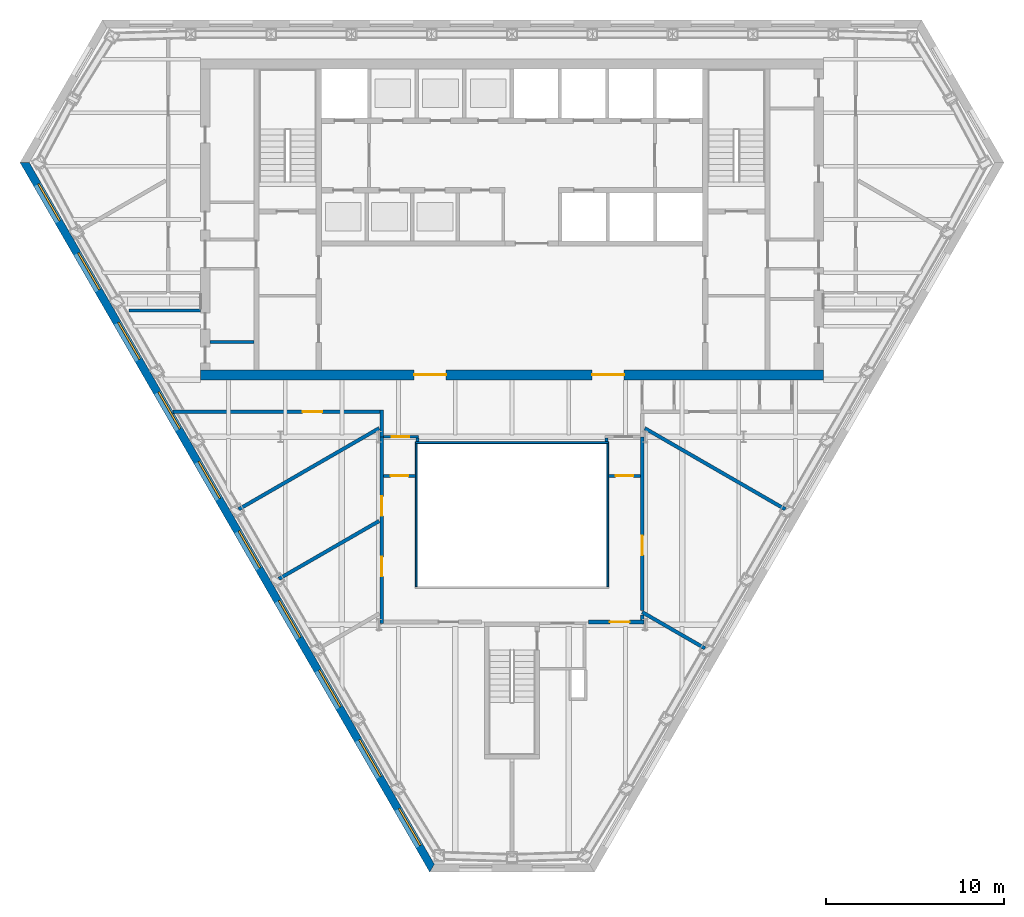
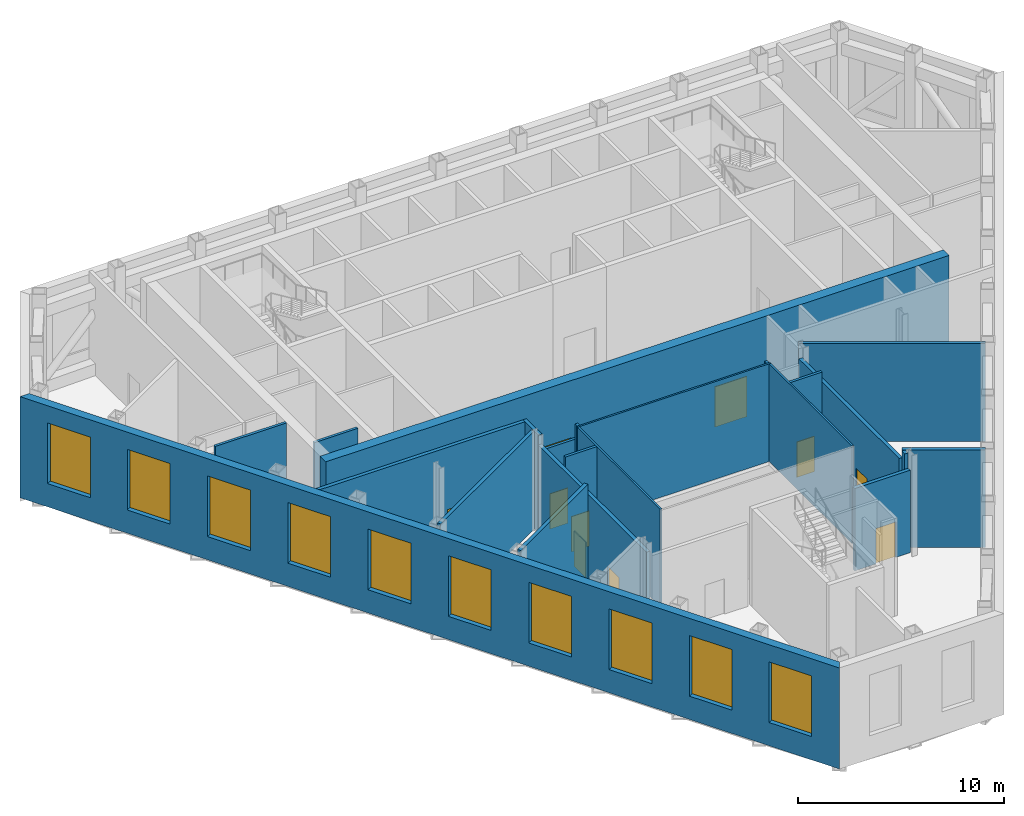
# One storey, part 7 of 15: 22 walls, 10 doors, 10 shading devices, 20 openings.
"""IFC4 building model written with IfcOpenShell, lengths in metres."""

from ifc_helpers import new_model, si_unit, direction, frame, frame_2d, origin, place, context, subcontext, project, spatial, polyline, rectangle, outline, extrude, material, layer, layer_set, type_object, element, fill, save


model = new_model("IFC4")

# Units and contexts
model_context = context("Model", 3, precision=1e-05, world=origin(), true_north=direction((0.0, 1.0)))
body_context = subcontext(model_context, "Body", "Model", "MODEL_VIEW")
ifc_project = project(units=[si_unit("LENGTHUNIT", "METRE"), si_unit("AREAUNIT", "SQUARE_METRE"), si_unit("VOLUMEUNIT", "CUBIC_METRE"), si_unit("PLANEANGLEUNIT", "RADIAN"), si_unit("MASSUNIT", "GRAM", prefix="KILO")], contexts=[model_context])

# Site, building, storey
site_placement = place(None, origin())
site = spatial("IfcSite", under=ifc_project, at=site_placement, CompositionType="ELEMENT")
building_placement = place(site_placement, origin())
building = spatial("IfcBuilding", under=site, at=building_placement, Name="Njiva Tower", CompositionType="ELEMENT")
storey_placement = place(building_placement, frame((0.0, 0.0, 133.8)))
storey = spatial("IfcBuildingStorey", under=building, at=storey_placement, Name="L28", CompositionType="ELEMENT", Elevation=133.8)

# Wall, openings, doors
ifc_material_1 = material(Name="Concrete C60/75", Category="concrete")
ifc_layer_1 = layer(ifc_material_1, 0.55)
ifc_layer_set_1 = layer_set([ifc_layer_1], Name="Concrete C60/75")
wall_type_1 = type_object("IfcWallType", Name="WT14 Core wall 550", PredefinedType="SHEAR", material=ifc_layer_set_1)
wall_1_placement = place(storey_placement, frame((-17.5, 0.275, 0.0), z_axis=(0.0, 0.0, 1.0), x_axis=(1.0, 0.0, 0.0)))
wall_1 = element("IfcWall", 1, at=wall_1_placement, inside=storey, type_object=wall_type_1, Name="Core wall south", PredefinedType="SHEAR", context=body_context, shape_type="SweptSolid", body=[
    extrude(rectangle(XDim=35.0, YDim=0.55, at=frame_2d((17.5, 0.0))), origin(), (0.0, 0.0, 1.0), 5.8),
])
opening_1_placement = place(wall_1_placement, frame((12.0, 0.0, 0.0)))
opening_1 = element("IfcOpeningElement", 2, at=opening_1_placement, cuts=wall_1, Name="Opening T2-D935", PredefinedType="OPENING", context=body_context, shape_type="SweptSolid", body=[
    extrude(rectangle(XDim=1.8, YDim=2.4, at=frame_2d((0.9, 1.2))), frame((0.0, 0.285, 0.0), z_axis=(0.0, -1.0, 0.0), x_axis=(1.0, 0.0, 0.0)), (0.0, 0.0, 1.0), 0.57),
])
opening_2_placement = place(wall_1_placement, frame((22.0, 0.0, 0.0)))
opening_2 = element("IfcOpeningElement", 3, at=opening_2_placement, cuts=wall_1, Name="Opening T2-D936", PredefinedType="OPENING", context=body_context, shape_type="SweptSolid", body=[
    extrude(rectangle(XDim=1.8, YDim=2.4, at=frame_2d((0.9, 1.2))), frame((0.0, 0.285, 0.0), z_axis=(0.0, -1.0, 0.0), x_axis=(1.0, 0.0, 0.0)), (0.0, 0.0, 1.0), 0.57),
])
ifc_material_2 = material(Name="Steel and glass door", Category="steel")
door_type_1 = type_object("IfcDoorType", Name="D3 Core entrance door 1800x2400", OperationType="DOUBLE_DOOR_SINGLE_SWING", PredefinedType="DOOR", material=ifc_material_2)
door_1_placement = place(opening_1_placement, origin())
door_1 = element("IfcDoor", 4, at=door_1_placement, inside=storey, type_object=door_type_1, Name="Core entrance door", OperationType="DOUBLE_DOOR_SINGLE_SWING", OverallHeight=2.4, OverallWidth=1.8, PredefinedType="DOOR", context=body_context, shape_type="SweptSolid", body=[
    extrude(rectangle(XDim=1.8, YDim=2.4, at=frame_2d((0.9, 1.2))), frame((0.0, 0.025, 0.0), z_axis=(0.0, -1.0, 0.0), x_axis=(1.0, 0.0, 0.0)), (0.0, 0.0, 1.0), 0.05),
])
fill(opening_1, door_1)
door_2_placement = place(opening_2_placement, origin())
door_2 = element("IfcDoor", 5, at=door_2_placement, inside=storey, type_object=door_type_1, Name="Core entrance door", OperationType="DOUBLE_DOOR_SINGLE_SWING", OverallHeight=2.4, OverallWidth=1.8, PredefinedType="DOOR", context=body_context, shape_type="SweptSolid", body=[
    extrude(rectangle(XDim=1.8, YDim=2.4, at=frame_2d((0.9, 1.2))), frame((0.0, 0.025, 0.0), z_axis=(0.0, -1.0, 0.0), x_axis=(1.0, 0.0, 0.0)), (0.0, 0.0, 1.0), 0.05),
])
fill(opening_2, door_2)

# Wall
ifc_material_3 = material(Name="Gypsum board on steel studs", Category="gypsum")
ifc_layer_2 = layer(ifc_material_3, 0.15)
ifc_layer_set_2 = layer_set([ifc_layer_2], Name="Gypsum board on steel studs")
wall_type_2 = type_object("IfcWallType", Name="WT21 Compartment wall 150", PredefinedType="PARTITIONING", material=ifc_layer_set_2)
wall_2_placement = place(storey_placement, frame((-21.5, 3.889, 0.0), z_axis=(0.0, 0.0, 1.0), x_axis=(1.0, 0.0, 0.0)))
element("IfcWall", 6, at=wall_2_placement, inside=storey, type_object=wall_type_2, Name="Partition T2-P003", PredefinedType="PARTITIONING", context=body_context, shape_type="SweptSolid", body=[
    extrude(rectangle(XDim=4.0, YDim=0.15, at=frame_2d((2.0, 0.0))), origin(), (0.0, 0.0, 1.0), 5.8),
])

# Wall, opening, door
wall_3_placement = place(storey_placement, frame((-7.211, -3.2, 0.0), z_axis=(0.0, 0.0, 1.0), x_axis=(1.0, 0.0, 0.0)))
wall_3 = element("IfcWall", 7, at=wall_3_placement, inside=storey, type_object=wall_type_2, Name="Partition T2-P011", PredefinedType="PARTITIONING", context=body_context, shape_type="SweptSolid", body=[
    extrude(rectangle(XDim=1.975, YDim=0.15, at=frame_2d((0.9875, 0.0))), origin(), (0.0, 0.0, 1.0), 4.89),
])
opening_3_placement = place(wall_3_placement, frame((0.45, 0.0, 0.0)))
opening_3 = element("IfcOpeningElement", 8, at=opening_3_placement, cuts=wall_3, Name="Opening T2-D006", PredefinedType="OPENING", context=body_context, shape_type="SweptSolid", body=[
    extrude(rectangle(XDim=1.0, YDim=2.1, at=frame_2d((0.5, 1.05))), frame((0.0, 0.085, 0.0), z_axis=(0.0, -1.0, 0.0), x_axis=(1.0, 0.0, 0.0)), (0.0, 0.0, 1.0), 0.17),
])
ifc_material_4 = material(Name="Steel fire door set", Category="steel")
door_type_2 = type_object("IfcDoorType", Name="D37 Fire door 1000x2100", OperationType="SINGLE_SWING_LEFT", PredefinedType="DOOR", material=ifc_material_4)
door_3_placement = place(opening_3_placement, origin())
door_3 = element("IfcDoor", 9, at=door_3_placement, inside=storey, type_object=door_type_2, Name="Door T2-D006", OperationType="SINGLE_SWING_RIGHT", OverallHeight=2.1, OverallWidth=1.0, PredefinedType="DOOR", context=body_context, shape_type="SweptSolid", body=[
    extrude(rectangle(XDim=1.0, YDim=2.1, at=frame_2d((0.5, 1.05))), frame((0.0, 0.025, 0.0), z_axis=(0.0, -1.0, 0.0), x_axis=(1.0, 0.0, 0.0)), (0.0, 0.0, 1.0), 0.05),
])
fill(opening_3, door_3)

wall_4_placement = place(storey_placement, frame((-7.211, -5.4, 0.0), z_axis=(0.0, 0.0, 1.0), x_axis=(1.0, 0.0, 0.0)))
wall_4 = element("IfcWall", 10, at=wall_4_placement, inside=storey, type_object=wall_type_2, Name="Partition T2-P012", PredefinedType="PARTITIONING", context=body_context, shape_type="SweptSolid", body=[
    extrude(rectangle(XDim=1.781, YDim=0.15, at=frame_2d((0.8905, 0.0))), origin(), (0.0, 0.0, 1.0), 5.8),
])
opening_4_placement = place(wall_4_placement, frame((0.39, 0.0, 0.0)))
opening_4 = element("IfcOpeningElement", 11, at=opening_4_placement, cuts=wall_4, Name="Opening T2-D007", PredefinedType="OPENING", context=body_context, shape_type="SweptSolid", body=[
    extrude(rectangle(XDim=1.0, YDim=2.1, at=frame_2d((0.5, 1.05))), frame((0.0, 0.085, 0.0), z_axis=(0.0, -1.0, 0.0), x_axis=(1.0, 0.0, 0.0)), (0.0, 0.0, 1.0), 0.17),
])
door_4_placement = place(opening_4_placement, origin())
door_4 = element("IfcDoor", 12, at=door_4_placement, inside=storey, type_object=door_type_2, Name="Door T2-D007", OperationType="SINGLE_SWING_RIGHT", OverallHeight=2.1, OverallWidth=1.0, PredefinedType="DOOR", context=body_context, shape_type="SweptSolid", body=[
    extrude(rectangle(XDim=1.0, YDim=2.1, at=frame_2d((0.5, 1.05))), frame((0.0, 0.025, 0.0), z_axis=(0.0, -1.0, 0.0), x_axis=(1.0, 0.0, 0.0)), (0.0, 0.0, 1.0), 0.05),
])
fill(opening_4, door_4)

# Walls
for number, where, z_axis, x_axis, name in (
    (13, (-5.31, -3.48, 0.0), (0.0, 0.0, 1.0), (0.0, 1.0, 0.0), "Partition T2-P014"),
    (14, (5.31, -3.48, 0.0), (0.0, 0.0, 1.0), (0.0, 1.0, 0.0), "Partition T2-P018"),
):
    element("IfcWall", number, at=place(storey_placement, frame(where, z_axis=z_axis, x_axis=x_axis)), inside=storey, type_object=wall_type_2, Name=name, PredefinedType="PARTITIONING", context=body_context, shape_type="SweptSolid", body=[
        extrude(rectangle(XDim=0.205, YDim=0.15, at=frame_2d((0.1025, 0.0))), origin(), (0.0, 0.0, 1.0), 5.8),
    ])

# Wall, opening, door
wall_5_placement = place(storey_placement, frame((5.43, -5.4, 0.0), z_axis=(0.0, 0.0, 1.0), x_axis=(1.0, 0.0, 0.0)))
wall_5 = element("IfcWall", 15, at=wall_5_placement, inside=storey, type_object=wall_type_2, Name="Partition T2-P019", PredefinedType="PARTITIONING", context=body_context, shape_type="SweptSolid", body=[
    extrude(rectangle(XDim=1.78, YDim=0.15, at=frame_2d((0.89, 0.0))), origin(), (0.0, 0.0, 1.0), 5.8),
])
opening_5_placement = place(wall_5_placement, frame((0.39, 0.0, 0.0)))
opening_5 = element("IfcOpeningElement", 16, at=opening_5_placement, cuts=wall_5, Name="Opening T2-D011", PredefinedType="OPENING", context=body_context, shape_type="SweptSolid", body=[
    extrude(rectangle(XDim=1.0, YDim=2.1, at=frame_2d((0.5, 1.05))), frame((0.0, 0.085, 0.0), z_axis=(0.0, -1.0, 0.0), x_axis=(1.0, 0.0, 0.0)), (0.0, 0.0, 1.0), 0.17),
])
door_5_placement = place(opening_5_placement, origin())
door_5 = element("IfcDoor", 17, at=door_5_placement, inside=storey, type_object=door_type_2, Name="Door T2-D011", OperationType="SINGLE_SWING_RIGHT", OverallHeight=2.1, OverallWidth=1.0, PredefinedType="DOOR", context=body_context, shape_type="SweptSolid", body=[
    extrude(rectangle(XDim=1.0, YDim=2.1, at=frame_2d((0.5, 1.05))), frame((0.0, 0.025, 0.0), z_axis=(0.0, -1.0, 0.0), x_axis=(1.0, 0.0, 0.0)), (0.0, 0.0, 1.0), 0.05),
])
fill(opening_5, door_5)

ifc_material_5 = material(Name="Blockwork", Category="masonry")
ifc_layer_3 = layer(ifc_material_5, 0.2)
ifc_layer_set_3 = layer_set([ifc_layer_3], Name="Blockwork")
wall_type_3 = type_object("IfcWallType", Name="WT22 Plant room wall 200", PredefinedType="PARTITIONING", material=ifc_layer_set_3)
wall_6_placement = place(storey_placement, frame((-19.023, -1.8, 0.0), z_axis=(0.0, 0.0, 1.0), x_axis=(1.0, 0.0, 0.0)))
wall_6 = element("IfcWall", 18, at=wall_6_placement, inside=storey, type_object=wall_type_3, Name="Partition T2-P006", PredefinedType="PARTITIONING", context=body_context, shape_type="SweptSolid", body=[
    extrude(rectangle(XDim=11.612, YDim=0.2, at=frame_2d((5.806, 0.0))), origin(), (0.0, 0.0, 1.0), 5.8),
])
opening_6_placement = place(wall_6_placement, frame((7.262, 0.0, 0.0)))
opening_6 = element("IfcOpeningElement", 19, at=opening_6_placement, cuts=wall_6, Name="Opening T2-D003", PredefinedType="OPENING", context=body_context, shape_type="SweptSolid", body=[
    extrude(rectangle(XDim=1.1, YDim=2.1, at=frame_2d((0.55, 1.05))), frame((0.0, 0.11, 0.0), z_axis=(0.0, -1.0, 0.0), x_axis=(1.0, 0.0, 0.0)), (0.0, 0.0, 1.0), 0.22),
])
ifc_material_6 = material(Name="Steel door set", Category="steel")
door_type_3 = type_object("IfcDoorType", Name="D34 Plant door 1100x2100", OperationType="SINGLE_SWING_LEFT", PredefinedType="DOOR", material=ifc_material_6)
door_6_placement = place(opening_6_placement, origin())
door_6 = element("IfcDoor", 20, at=door_6_placement, inside=storey, type_object=door_type_3, Name="Door T2-D003", OperationType="SINGLE_SWING_RIGHT", OverallHeight=2.1, OverallWidth=1.1, PredefinedType="DOOR", context=body_context, shape_type="SweptSolid", body=[
    extrude(rectangle(XDim=1.1, YDim=2.1, at=frame_2d((0.55, 1.05))), frame((0.0, 0.025, 0.0), z_axis=(0.0, -1.0, 0.0), x_axis=(1.0, 0.0, 0.0)), (0.0, 0.0, 1.0), 0.05),
])
fill(opening_6, door_6)

# Walls
wall_7_placement = place(storey_placement, frame((-15.344, -7.274, 0.0), z_axis=(0.0, 0.0, 1.0), x_axis=(0.866037399706, 0.499979221878, 0.0)))
element("IfcWall", 21, at=wall_7_placement, inside=storey, type_object=wall_type_3, Name="Partition T2-P007", PredefinedType="PARTITIONING", context=body_context, shape_type="SweptSolid", body=[
    extrude(rectangle(XDim=9.1024, YDim=0.2, at=frame_2d((4.5512, 0.0))), origin(), (0.0, 0.0, 1.0), 5.8),
])
wall_8_placement = place(storey_placement, frame((-13.089, -11.179, 0.0), z_axis=(0.0, 0.0, 1.0), x_axis=(0.866085669847, 0.499895601587, 0.0)))
element("IfcWall", 22, at=wall_8_placement, inside=storey, type_object=wall_type_3, Name="Partition T2-P008", PredefinedType="PARTITIONING", context=body_context, shape_type="SweptSolid", body=[
    extrude(rectangle(XDim=6.4994, YDim=0.2, at=frame_2d((3.2497, 0.0))), origin(), (0.0, 0.0, 1.0), 5.8),
])

# Wall, openings, doors
wall_9_placement = place(storey_placement, frame((-7.31, -13.699, 0.0), z_axis=(0.0, 0.0, 1.0), x_axis=(-8.5722449e-05, 0.999999996326, 0.0)))
wall_9 = element("IfcWall", 23, at=wall_9_placement, inside=storey, type_object=wall_type_3, Name="Partition T2-P010", PredefinedType="PARTITIONING", context=body_context, shape_type="SweptSolid", body=[
    extrude(rectangle(XDim=10.499, YDim=0.2, at=frame_2d((5.2495, 0.0))), origin(), (0.0, 0.0, 1.0), 5.21),
])
opening_7_placement = place(wall_9_placement, frame((2.653, 0.0, 0.0)))
opening_7 = element("IfcOpeningElement", 24, at=opening_7_placement, cuts=wall_9, Name="Opening T2-D004", PredefinedType="OPENING", context=body_context, shape_type="SweptSolid", body=[
    extrude(rectangle(XDim=1.1, YDim=2.1, at=frame_2d((0.55, 1.05))), frame((0.0, 0.11, 0.0), z_axis=(0.0, -1.0, 0.0), x_axis=(1.0, 0.0, 0.0)), (0.0, 0.0, 1.0), 0.22),
])
opening_8_placement = place(wall_9_placement, frame((6.056, 0.0, 0.0)))
opening_8 = element("IfcOpeningElement", 25, at=opening_8_placement, cuts=wall_9, Name="Opening T2-D005", PredefinedType="OPENING", context=body_context, shape_type="SweptSolid", body=[
    extrude(rectangle(XDim=1.1, YDim=2.1, at=frame_2d((0.55, 1.05))), frame((0.0, 0.11, 0.0), z_axis=(0.0, -1.0, 0.0), x_axis=(1.0, 0.0, 0.0)), (0.0, 0.0, 1.0), 0.22),
])
door_7_placement = place(opening_7_placement, origin())
door_7 = element("IfcDoor", 26, at=door_7_placement, inside=storey, type_object=door_type_3, Name="Door T2-D004", OperationType="SINGLE_SWING_RIGHT", OverallHeight=2.1, OverallWidth=1.1, PredefinedType="DOOR", context=body_context, shape_type="SweptSolid", body=[
    extrude(rectangle(XDim=1.1, YDim=2.1, at=frame_2d((0.55, 1.05))), frame((0.0, 0.025, 0.0), z_axis=(0.0, -1.0, 0.0), x_axis=(1.0, 0.0, 0.0)), (0.0, 0.0, 1.0), 0.05),
])
fill(opening_7, door_7)
door_8_placement = place(opening_8_placement, origin())
door_8 = element("IfcDoor", 27, at=door_8_placement, inside=storey, type_object=door_type_3, Name="Door T2-D005", OperationType="SINGLE_SWING_LEFT", OverallHeight=2.1, OverallWidth=1.1, PredefinedType="DOOR", context=body_context, shape_type="SweptSolid", body=[
    extrude(rectangle(XDim=1.1, YDim=2.1, at=frame_2d((0.55, 1.05))), frame((0.0, 0.025, 0.0), z_axis=(0.0, -1.0, 0.0), x_axis=(1.0, 0.0, 0.0)), (0.0, 0.0, 1.0), 0.05),
])
fill(opening_8, door_8)

# Wall
wall_10_placement = place(storey_placement, frame((-7.3109, -3.2, 0.0), z_axis=(0.0, 0.0, 1.0), x_axis=(-6.6666667e-05, 0.999999997778, 0.0)))
element("IfcWall", 28, at=wall_10_placement, inside=storey, type_object=wall_type_3, Name="Partition T2-P010A", PredefinedType="PARTITIONING", context=body_context, shape_type="SweptSolid", body=[
    extrude(rectangle(XDim=1.5, YDim=0.2, at=frame_2d((0.75, 0.0))), origin(), (0.0, 0.0, 1.0), 5.8),
])

# Wall, opening, door
wall_11_placement = place(storey_placement, frame((7.31, -12.961, 0.0), z_axis=(0.0, 0.0, 1.0), x_axis=(0.0, 1.0, 0.0)))
wall_11 = element("IfcWall", 29, at=wall_11_placement, inside=storey, type_object=wall_type_3, Name="Partition T2-P023", PredefinedType="PARTITIONING", context=body_context, shape_type="SweptSolid", body=[
    extrude(rectangle(XDim=9.761, YDim=0.2, at=frame_2d((4.8805, 0.0))), origin(), (0.0, 0.0, 1.0), 5.21),
])
opening_9_placement = place(wall_11_placement, frame((3.111, 0.0, 0.0)))
opening_9 = element("IfcOpeningElement", 30, at=opening_9_placement, cuts=wall_11, Name="Opening T2-D013", PredefinedType="OPENING", context=body_context, shape_type="SweptSolid", body=[
    extrude(rectangle(XDim=1.1, YDim=2.1, at=frame_2d((0.55, 1.05))), frame((0.0, 0.11, 0.0), z_axis=(0.0, -1.0, 0.0), x_axis=(1.0, 0.0, 0.0)), (0.0, 0.0, 1.0), 0.22),
])
door_9_placement = place(opening_9_placement, origin())
door_9 = element("IfcDoor", 31, at=door_9_placement, inside=storey, type_object=door_type_3, Name="Door T2-D013", OperationType="SINGLE_SWING_LEFT", OverallHeight=2.1, OverallWidth=1.1, PredefinedType="DOOR", context=body_context, shape_type="SweptSolid", body=[
    extrude(rectangle(XDim=1.1, YDim=2.1, at=frame_2d((0.55, 1.05))), frame((0.0, 0.025, 0.0), z_axis=(0.0, -1.0, 0.0), x_axis=(1.0, 0.0, 0.0)), (0.0, 0.0, 1.0), 0.05),
])
fill(opening_9, door_9)

# Wall
wall_12_placement = place(storey_placement, frame((7.46, -2.724, 0.0), z_axis=(0.0, 0.0, 1.0), x_axis=(0.866112420066, -0.499849253082, 0.0)))
element("IfcWall", 32, at=wall_12_placement, inside=storey, type_object=wall_type_3, Name="Partition T2-P025", PredefinedType="PARTITIONING", context=body_context, shape_type="SweptSolid", body=[
    extrude(rectangle(XDim=9.1027, YDim=0.2, at=frame_2d((4.5514, 0.0))), origin(), (0.0, 0.0, 1.0), 5.8),
])

# Wall, opening, door
ifc_layer_4 = layer(ifc_material_5, 0.2)
ifc_layer_set_4 = layer_set([ifc_layer_4], Name="Blockwork")
wall_type_4 = type_object("IfcWallType", Name="WT23 Refuge wall 200", PredefinedType="PARTITIONING", material=ifc_layer_set_4)
wall_13_placement = place(storey_placement, frame((4.3, -13.6, 0.0), z_axis=(0.0, 0.0, 1.0), x_axis=(1.0, 0.0, 0.0)))
wall_13 = element("IfcWall", 33, at=wall_13_placement, inside=storey, type_object=wall_type_4, Name="Partition T2-P016", PredefinedType="PARTITIONING", context=body_context, shape_type="SweptSolid", body=[
    extrude(rectangle(XDim=3.109, YDim=0.2, at=frame_2d((1.5545, 0.0))), origin(), (0.0, 0.0, 1.0), 4.89),
])
opening_10_placement = place(wall_13_placement, frame((1.198, 0.0, 0.0)))
opening_10 = element("IfcOpeningElement", 34, at=opening_10_placement, cuts=wall_13, Name="Opening T2-D009", PredefinedType="OPENING", context=body_context, shape_type="SweptSolid", body=[
    extrude(rectangle(XDim=1.1, YDim=2.1, at=frame_2d((0.55, 1.05))), frame((0.0, 0.11, 0.0), z_axis=(0.0, -1.0, 0.0), x_axis=(1.0, 0.0, 0.0)), (0.0, 0.0, 1.0), 0.22),
])
door_type_4 = type_object("IfcDoorType", Name="D35 Refuge door 1100x2100", OperationType="SINGLE_SWING_LEFT", PredefinedType="DOOR", material=ifc_material_6)
door_10_placement = place(opening_10_placement, origin())
door_10 = element("IfcDoor", 35, at=door_10_placement, inside=storey, type_object=door_type_4, Name="Door T2-D009", OperationType="SINGLE_SWING_RIGHT", OverallHeight=2.1, OverallWidth=1.1, PredefinedType="DOOR", context=body_context, shape_type="SweptSolid", body=[
    extrude(rectangle(XDim=1.1, YDim=2.1, at=frame_2d((0.55, 1.05))), frame((0.0, 0.025, 0.0), z_axis=(0.0, -1.0, 0.0), x_axis=(1.0, 0.0, 0.0)), (0.0, 0.0, 1.0), 0.05),
])
fill(opening_10, door_10)

# Walls
wall_14_placement = place(storey_placement, frame((7.31, -13.5, 0.0), z_axis=(0.0, 0.0, 1.0), x_axis=(0.0, 1.0, 0.0)))
element("IfcWall", 36, at=wall_14_placement, inside=storey, type_object=wall_type_4, Name="Partition T2-P021", PredefinedType="PARTITIONING", context=body_context, shape_type="SweptSolid", body=[
    extrude(rectangle(XDim=0.279, YDim=0.2, at=frame_2d((0.1395, 0.0))), origin(), (0.0, 0.0, 1.0), 5.8),
])
wall_15_placement = place(storey_placement, frame((7.31, -13.048, 0.0), z_axis=(0.0, 0.0, 1.0), x_axis=(0.866042392862, -0.4999705729, 0.0)))
element("IfcWall", 37, at=wall_15_placement, inside=storey, type_object=wall_type_4, Name="Partition T2-P022", PredefinedType="PARTITIONING", context=body_context, shape_type="SweptSolid", body=[
    extrude(rectangle(XDim=4.0702, YDim=0.2, at=frame_2d((2.0351, 0.0))), origin(), (0.0, 0.0, 1.0), 5.8),
])
ifc_layer_5 = layer(ifc_material_5, 0.15)
ifc_layer_set_5 = layer_set([ifc_layer_5], Name="Blockwork")
wall_type_5 = type_object("IfcWallType", Name="WT3 Riser partition 150", PredefinedType="PARTITIONING", material=ifc_layer_set_5)
wall_16_placement = place(storey_placement, frame((-16.95, 2.125, 0.0), z_axis=(0.0, 0.0, 1.0), x_axis=(1.0, 0.0, 0.0)))
element("IfcWall", 38, at=wall_16_placement, inside=storey, type_object=wall_type_5, Name="Partition strip W00", PredefinedType="PARTITIONING", context=body_context, shape_type="SweptSolid", body=[
    extrude(rectangle(XDim=2.45, YDim=0.15, at=frame_2d((1.225, 0.0))), origin(), (0.0, 0.0, 1.0), 5.5),
])

# Wall, openings, shading devices
ifc_material_7 = material(Name="Brick masonry, buff", Category="masonry")
ifc_layer_6 = layer(ifc_material_7, 0.45)
ifc_layer_set_6 = layer_set([ifc_layer_6], Name="Brick masonry, buff")
wall_type_6 = type_object("IfcWallType", Name="WT94 Brick pier and spandrel wall 450, buff", PredefinedType="SOLIDWALL", material=ifc_layer_set_6)
wall_17_placement = place(storey_placement, frame((-27.3652, 12.1979, -0.18), z_axis=(0.0, 0.0, 1.0), x_axis=(0.500000335318, -0.866025210188, 0.0)))
wall_17 = element("IfcWall", 39, at=wall_17_placement, inside=storey, type_object=wall_type_6, Name="Facade wall SW", PredefinedType="SOLIDWALL", context=body_context, shape_type="SweptSolid", body=[
    extrude(outline(polyline([(-0.1299, -0.225), (45.8801, -0.225), (45.6203, 0.225), (0.1299, 0.225), (-0.1299, -0.225)])), origin(), (0.0, 0.0, 1.0), 6.0),
])
opening_11_placement = place(wall_17_placement, frame((1.4247, 0.0, 1.38)))
opening_11 = element("IfcOpeningElement", 40, at=opening_11_placement, cuts=wall_17, Name="Opening T2-LV13", PredefinedType="OPENING", context=body_context, shape_type="SweptSolid", body=[
    extrude(rectangle(XDim=2.4, YDim=3.6, at=frame_2d((1.2, 1.8))), frame((0.0, 0.235, 0.0), z_axis=(0.0, -1.0, 0.0), x_axis=(1.0, 0.0, 0.0)), (0.0, 0.0, 1.0), 0.47),
])
opening_12_placement = place(wall_17_placement, frame((5.8949, 0.0, 1.38)))
opening_12 = element("IfcOpeningElement", 41, at=opening_12_placement, cuts=wall_17, Name="Opening T2-LV14", PredefinedType="OPENING", context=body_context, shape_type="SweptSolid", body=[
    extrude(rectangle(XDim=2.4, YDim=3.6, at=frame_2d((1.2, 1.8))), frame((0.0, 0.235, 0.0), z_axis=(0.0, -1.0, 0.0), x_axis=(1.0, 0.0, 0.0)), (0.0, 0.0, 1.0), 0.47),
])
opening_13_placement = place(wall_17_placement, frame((10.4035, 0.0, 1.38)))
opening_13 = element("IfcOpeningElement", 42, at=opening_13_placement, cuts=wall_17, Name="Opening T2-LV15", PredefinedType="OPENING", context=body_context, shape_type="SweptSolid", body=[
    extrude(rectangle(XDim=2.4, YDim=3.6, at=frame_2d((1.2, 1.8))), frame((0.0, 0.235, 0.0), z_axis=(0.0, -1.0, 0.0), x_axis=(1.0, 0.0, 0.0)), (0.0, 0.0, 1.0), 0.47),
])
opening_14_placement = place(wall_17_placement, frame((14.9122, 0.0, 1.38)))
opening_14 = element("IfcOpeningElement", 43, at=opening_14_placement, cuts=wall_17, Name="Opening T2-LV16", PredefinedType="OPENING", context=body_context, shape_type="SweptSolid", body=[
    extrude(rectangle(XDim=2.4, YDim=3.6, at=frame_2d((1.2, 1.8))), frame((0.0, 0.235, 0.0), z_axis=(0.0, -1.0, 0.0), x_axis=(1.0, 0.0, 0.0)), (0.0, 0.0, 1.0), 0.47),
])
opening_15_placement = place(wall_17_placement, frame((19.4208, 0.0, 1.38)))
opening_15 = element("IfcOpeningElement", 44, at=opening_15_placement, cuts=wall_17, Name="Opening T2-LV17", PredefinedType="OPENING", context=body_context, shape_type="SweptSolid", body=[
    extrude(rectangle(XDim=2.4, YDim=3.6, at=frame_2d((1.2, 1.8))), frame((0.0, 0.235, 0.0), z_axis=(0.0, -1.0, 0.0), x_axis=(1.0, 0.0, 0.0)), (0.0, 0.0, 1.0), 0.47),
])
opening_16_placement = place(wall_17_placement, frame((23.9294, 0.0, 1.38)))
opening_16 = element("IfcOpeningElement", 45, at=opening_16_placement, cuts=wall_17, Name="Opening T2-LV18", PredefinedType="OPENING", context=body_context, shape_type="SweptSolid", body=[
    extrude(rectangle(XDim=2.4, YDim=3.6, at=frame_2d((1.2, 1.8))), frame((0.0, 0.235, 0.0), z_axis=(0.0, -1.0, 0.0), x_axis=(1.0, 0.0, 0.0)), (0.0, 0.0, 1.0), 0.47),
])
opening_17_placement = place(wall_17_placement, frame((28.438, 0.0, 1.38)))
opening_17 = element("IfcOpeningElement", 46, at=opening_17_placement, cuts=wall_17, Name="Opening T2-LV19", PredefinedType="OPENING", context=body_context, shape_type="SweptSolid", body=[
    extrude(rectangle(XDim=2.4, YDim=3.6, at=frame_2d((1.2, 1.8))), frame((0.0, 0.235, 0.0), z_axis=(0.0, -1.0, 0.0), x_axis=(1.0, 0.0, 0.0)), (0.0, 0.0, 1.0), 0.47),
])
opening_18_placement = place(wall_17_placement, frame((32.9466, 0.0, 1.38)))
opening_18 = element("IfcOpeningElement", 47, at=opening_18_placement, cuts=wall_17, Name="Opening T2-LV20", PredefinedType="OPENING", context=body_context, shape_type="SweptSolid", body=[
    extrude(rectangle(XDim=2.4, YDim=3.6, at=frame_2d((1.2, 1.8))), frame((0.0, 0.235, 0.0), z_axis=(0.0, -1.0, 0.0), x_axis=(1.0, 0.0, 0.0)), (0.0, 0.0, 1.0), 0.47),
])
opening_19_placement = place(wall_17_placement, frame((37.4553, 0.0, 1.38)))
opening_19 = element("IfcOpeningElement", 48, at=opening_19_placement, cuts=wall_17, Name="Opening T2-LV21", PredefinedType="OPENING", context=body_context, shape_type="SweptSolid", body=[
    extrude(rectangle(XDim=2.4, YDim=3.6, at=frame_2d((1.2, 1.8))), frame((0.0, 0.235, 0.0), z_axis=(0.0, -1.0, 0.0), x_axis=(1.0, 0.0, 0.0)), (0.0, 0.0, 1.0), 0.47),
])
opening_20_placement = place(wall_17_placement, frame((41.9255, 0.0, 1.38)))
opening_20 = element("IfcOpeningElement", 49, at=opening_20_placement, cuts=wall_17, Name="Opening T2-LV22", PredefinedType="OPENING", context=body_context, shape_type="SweptSolid", body=[
    extrude(rectangle(XDim=2.4, YDim=3.6, at=frame_2d((1.2, 1.8))), frame((0.0, 0.235, 0.0), z_axis=(0.0, -1.0, 0.0), x_axis=(1.0, 0.0, 0.0)), (0.0, 0.0, 1.0), 0.47),
])
ifc_material_8 = material(Name="Aluminium louvre blades", Category="aluminium")
shading_device_type = type_object("IfcShadingDeviceType", Name="LV1 Plant louvre 2400x3600", PredefinedType="JALOUSIE", material=ifc_material_8)
shading_device_1_placement = place(opening_11_placement, origin())
shading_device_1 = element("IfcShadingDevice", 50, at=shading_device_1_placement, inside=storey, type_object=shading_device_type, Name="Plant louvre", PredefinedType="JALOUSIE", context=body_context, shape_type="SweptSolid", body=[
    extrude(rectangle(XDim=2.4, YDim=3.6, at=frame_2d((1.2, 1.8))), frame((0.0, 0.125, 0.0), z_axis=(0.0, -1.0, 0.0), x_axis=(1.0, 0.0, 0.0)), (0.0, 0.0, 1.0), 0.1),
])
fill(opening_11, shading_device_1)
shading_device_2_placement = place(opening_12_placement, origin())
shading_device_2 = element("IfcShadingDevice", 51, at=shading_device_2_placement, inside=storey, type_object=shading_device_type, Name="Plant louvre", PredefinedType="JALOUSIE", context=body_context, shape_type="SweptSolid", body=[
    extrude(rectangle(XDim=2.4, YDim=3.6, at=frame_2d((1.2, 1.8))), frame((0.0, 0.125, 0.0), z_axis=(0.0, -1.0, 0.0), x_axis=(1.0, 0.0, 0.0)), (0.0, 0.0, 1.0), 0.1),
])
fill(opening_12, shading_device_2)
shading_device_3_placement = place(opening_13_placement, origin())
shading_device_3 = element("IfcShadingDevice", 52, at=shading_device_3_placement, inside=storey, type_object=shading_device_type, Name="Plant louvre", PredefinedType="JALOUSIE", context=body_context, shape_type="SweptSolid", body=[
    extrude(rectangle(XDim=2.4, YDim=3.6, at=frame_2d((1.2, 1.8))), frame((0.0, 0.125, 0.0), z_axis=(0.0, -1.0, 0.0), x_axis=(1.0, 0.0, 0.0)), (0.0, 0.0, 1.0), 0.1),
])
fill(opening_13, shading_device_3)
shading_device_4_placement = place(opening_14_placement, origin())
shading_device_4 = element("IfcShadingDevice", 53, at=shading_device_4_placement, inside=storey, type_object=shading_device_type, Name="Plant louvre", PredefinedType="JALOUSIE", context=body_context, shape_type="SweptSolid", body=[
    extrude(rectangle(XDim=2.4, YDim=3.6, at=frame_2d((1.2, 1.8))), frame((0.0, 0.125, 0.0), z_axis=(0.0, -1.0, 0.0), x_axis=(1.0, 0.0, 0.0)), (0.0, 0.0, 1.0), 0.1),
])
fill(opening_14, shading_device_4)
shading_device_5_placement = place(opening_15_placement, origin())
shading_device_5 = element("IfcShadingDevice", 54, at=shading_device_5_placement, inside=storey, type_object=shading_device_type, Name="Plant louvre", PredefinedType="JALOUSIE", context=body_context, shape_type="SweptSolid", body=[
    extrude(rectangle(XDim=2.4, YDim=3.6, at=frame_2d((1.2, 1.8))), frame((0.0, 0.125, 0.0), z_axis=(0.0, -1.0, 0.0), x_axis=(1.0, 0.0, 0.0)), (0.0, 0.0, 1.0), 0.1),
])
fill(opening_15, shading_device_5)
shading_device_6_placement = place(opening_16_placement, origin())
shading_device_6 = element("IfcShadingDevice", 55, at=shading_device_6_placement, inside=storey, type_object=shading_device_type, Name="Plant louvre", PredefinedType="JALOUSIE", context=body_context, shape_type="SweptSolid", body=[
    extrude(rectangle(XDim=2.4, YDim=3.6, at=frame_2d((1.2, 1.8))), frame((0.0, 0.125, 0.0), z_axis=(0.0, -1.0, 0.0), x_axis=(1.0, 0.0, 0.0)), (0.0, 0.0, 1.0), 0.1),
])
fill(opening_16, shading_device_6)
shading_device_7_placement = place(opening_17_placement, origin())
shading_device_7 = element("IfcShadingDevice", 56, at=shading_device_7_placement, inside=storey, type_object=shading_device_type, Name="Plant louvre", PredefinedType="JALOUSIE", context=body_context, shape_type="SweptSolid", body=[
    extrude(rectangle(XDim=2.4, YDim=3.6, at=frame_2d((1.2, 1.8))), frame((0.0, 0.125, 0.0), z_axis=(0.0, -1.0, 0.0), x_axis=(1.0, 0.0, 0.0)), (0.0, 0.0, 1.0), 0.1),
])
fill(opening_17, shading_device_7)
shading_device_8_placement = place(opening_18_placement, origin())
shading_device_8 = element("IfcShadingDevice", 57, at=shading_device_8_placement, inside=storey, type_object=shading_device_type, Name="Plant louvre", PredefinedType="JALOUSIE", context=body_context, shape_type="SweptSolid", body=[
    extrude(rectangle(XDim=2.4, YDim=3.6, at=frame_2d((1.2, 1.8))), frame((0.0, 0.125, 0.0), z_axis=(0.0, -1.0, 0.0), x_axis=(1.0, 0.0, 0.0)), (0.0, 0.0, 1.0), 0.1),
])
fill(opening_18, shading_device_8)
shading_device_9_placement = place(opening_19_placement, origin())
shading_device_9 = element("IfcShadingDevice", 58, at=shading_device_9_placement, inside=storey, type_object=shading_device_type, Name="Plant louvre", PredefinedType="JALOUSIE", context=body_context, shape_type="SweptSolid", body=[
    extrude(rectangle(XDim=2.4, YDim=3.6, at=frame_2d((1.2, 1.8))), frame((0.0, 0.125, 0.0), z_axis=(0.0, -1.0, 0.0), x_axis=(1.0, 0.0, 0.0)), (0.0, 0.0, 1.0), 0.1),
])
fill(opening_19, shading_device_9)
shading_device_10_placement = place(opening_20_placement, origin())
shading_device_10 = element("IfcShadingDevice", 59, at=shading_device_10_placement, inside=storey, type_object=shading_device_type, Name="Plant louvre", PredefinedType="JALOUSIE", context=body_context, shape_type="SweptSolid", body=[
    extrude(rectangle(XDim=2.4, YDim=3.6, at=frame_2d((1.2, 1.8))), frame((0.0, 0.125, 0.0), z_axis=(0.0, -1.0, 0.0), x_axis=(1.0, 0.0, 0.0)), (0.0, 0.0, 1.0), 0.1),
])
fill(opening_20, shading_device_10)

# Walls
ifc_material_9 = material(Name="Fire-resisting glazing EI 90", Category="glass")
ifc_layer_7 = layer(ifc_material_9, 0.1)
ifc_layer_set_7 = layer_set([ifc_layer_7], Name="Fire-resisting glazing EI 90")
wall_type_7 = type_object("IfcWallType", Name="WT95 Fire-resisting glazed screen EI 90", PredefinedType="PARTITIONING", material=ifc_layer_set_7)
wall_18_placement = place(storey_placement, frame((5.38, -11.62, 0.0), z_axis=(0.0, 0.0, 1.0), x_axis=(0.0, 1.0, 0.0)))
element("IfcWall", 60, at=wall_18_placement, inside=storey, type_object=wall_type_7, Name="Atrium fire screen east", PredefinedType="PARTITIONING", context=body_context, shape_type="SweptSolid", body=[
    extrude(rectangle(XDim=8.04, YDim=0.1, at=frame_2d((4.02, 0.0))), origin(), (0.0, 0.0, 1.0), 5.8),
])
wall_19_placement = place(storey_placement, frame((5.43, -3.53, 0.0), z_axis=(0.0, 0.0, 1.0), x_axis=(-1.0, 0.0, 0.0)))
element("IfcWall", 61, at=wall_19_placement, inside=storey, type_object=wall_type_7, Name="Atrium fire screen north", PredefinedType="PARTITIONING", context=body_context, shape_type="SweptSolid", body=[
    extrude(rectangle(XDim=10.86, YDim=0.1, at=frame_2d((5.43, 0.0))), origin(), (0.0, 0.0, 1.0), 5.8),
])
wall_20_placement = place(storey_placement, frame((-5.38, -3.58, 0.0), z_axis=(0.0, 0.0, 1.0), x_axis=(0.0, -1.0, 0.0)))
element("IfcWall", 62, at=wall_20_placement, inside=storey, type_object=wall_type_7, Name="Atrium fire screen west", PredefinedType="PARTITIONING", context=body_context, shape_type="SweptSolid", body=[
    extrude(rectangle(XDim=8.04, YDim=0.1, at=frame_2d((4.02, 0.0))), origin(), (0.0, 0.0, 1.0), 5.8),
])

save(model, "model.ifc")
